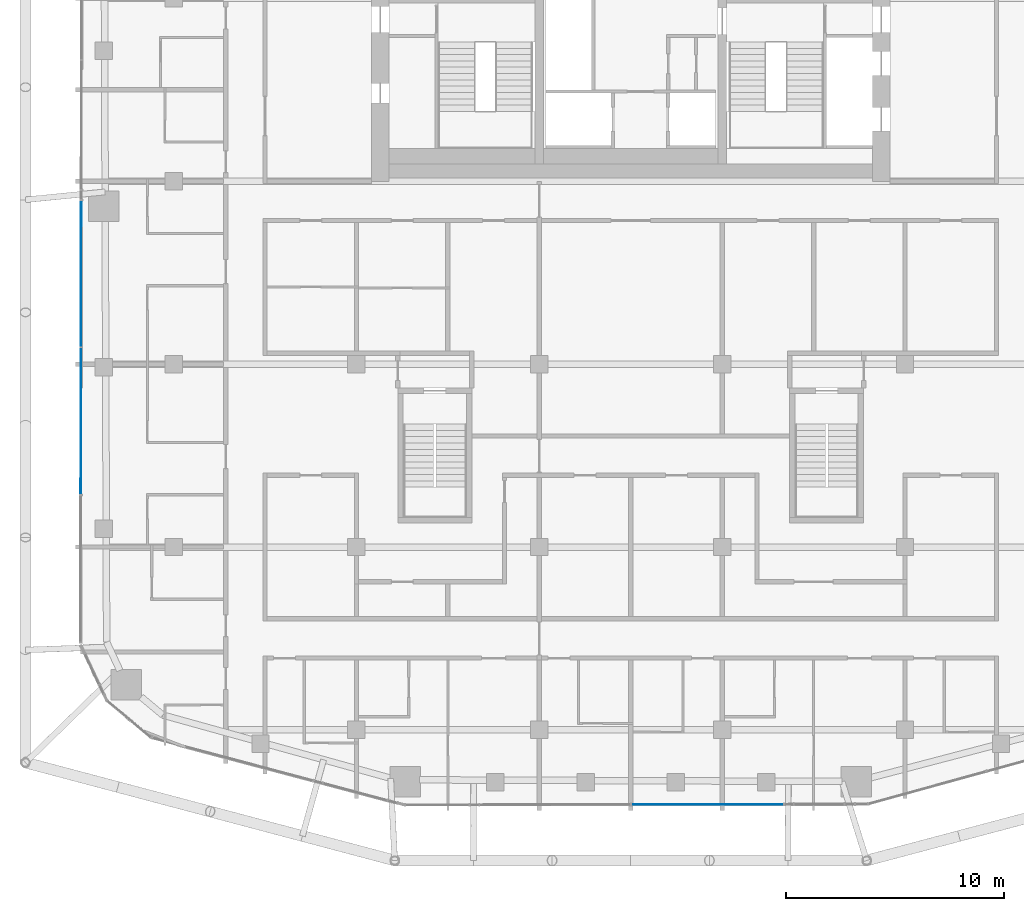
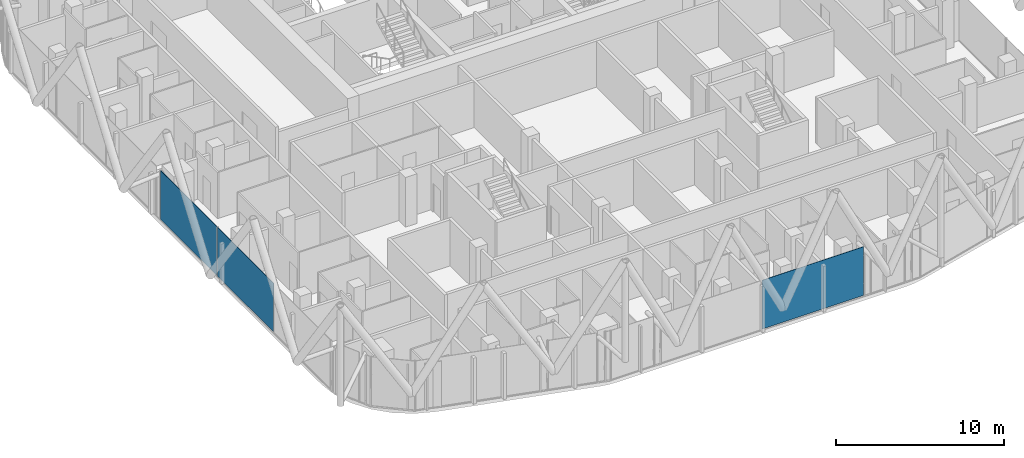
# One storey, part 15 of 31: 3 plates, 2 elements without a shape of their own.
"""IFC4 building model written with IfcOpenShell, lengths in metres."""

from ifc_helpers import new_model, si_unit, direction, frame, origin, origin_2d, place, context, subcontext, project, spatial, rectangle, extrude, material, layer, layer_set, type_object, element, aggregate, save


model = new_model("IFC4")

# Units and contexts
model_context = context("Model", 3, precision=1e-05, world=origin(), true_north=direction((0.0, 1.0)))
body_context = subcontext(model_context, "Body", "Model", "MODEL_VIEW")
ifc_project = project(units=[si_unit("LENGTHUNIT", "METRE"), si_unit("AREAUNIT", "SQUARE_METRE"), si_unit("VOLUMEUNIT", "CUBIC_METRE"), si_unit("PLANEANGLEUNIT", "RADIAN"), si_unit("MASSUNIT", "GRAM", prefix="KILO")], contexts=[model_context])

# Site, building, storey
site_placement = place(None, origin())
site = spatial("IfcSite", under=ifc_project, at=site_placement, CompositionType="ELEMENT")
building_placement = place(site_placement, origin())
building = spatial("IfcBuilding", under=site, at=building_placement, Name="Marenta Gate Hotel Tower", CompositionType="ELEMENT")
storey_placement = place(building_placement, frame((0.0, 0.0, 234.5)))
storey = spatial("IfcBuildingStorey", under=building, at=storey_placement, Name="L55", CompositionType="ELEMENT", Elevation=234.5)

# Curtain wall, plates
ifc_material_1 = material(Name="Tinted insulated glass in bronze anodised frame", Category="glass")
ifc_layer_1 = layer(ifc_material_1, 0.1201171875)
ifc_layer_set_1 = layer_set([ifc_layer_1], Name="Tinted insulated glass in bronze anodised frame")
curtain_wall_type = type_object("IfcCurtainWallType", Name="Tower unitised curtain wall CW1", PredefinedType="NOTDEFINED", material=ifc_layer_set_1)
curtain_wall_1_placement = place(storey_placement, origin())
curtain_wall_1 = element("IfcCurtainWall", 1, at=curtain_wall_1_placement, inside=storey, type_object=curtain_wall_type, Name="CW1 run G08", PredefinedType="NOTDEFINED")
ifc_material_2 = material(Name="Tinted insulated glass", Category="glass")
ifc_layer_2 = layer(ifc_material_2, 0.028076171875)
ifc_layer_set_2 = layer_set([ifc_layer_2], Name="Tinted insulated glass")
plate_type = type_object("IfcPlateType", Name="Glass panel CW1 28 mm tinted insulated unit", PredefinedType="CURTAIN_PANEL", material=ifc_layer_set_2)
plate_1_placement = place(storey_placement, frame((-25.246337890625, -4.238525390625, 0.06005859375), z_axis=(0.0, 0.0, 1.0), x_axis=(-0.001564651623, -0.999998775932, 0.0)))
plate_1 = element("IfcPlate", 2, at=plate_1_placement, type_object=plate_type, Name="CW1 panel 1.1", PredefinedType="CURTAIN_PANEL", context=body_context, shape_type="SweptSolid", body=[
    extrude(rectangle(XDim=6.7060546875, YDim=0.028076171875, at=origin_2d()), origin(), (0.0, 0.0, 1.0), 3.5400390625),
])
plate_2_placement = place(storey_placement, frame((-25.2568359375, -11.01953125, 0.06005859375), z_axis=(0.0, 0.0, 1.0), x_axis=(-0.001564651623, -0.999998775932, 0.0)))
plate_2 = element("IfcPlate", 3, at=plate_2_placement, type_object=plate_type, Name="CW1 panel 2.1", PredefinedType="CURTAIN_PANEL", context=body_context, shape_type="SweptSolid", body=[
    extrude(rectangle(XDim=6.736083984375, YDim=0.028076171875, at=origin_2d()), origin(), (0.0, 0.0, 1.0), 3.5400390625),
])
aggregate(curtain_wall_1, [plate_1, plate_2])

# Curtain wall, plate
curtain_wall_2_placement = place(storey_placement, origin())
curtain_wall_2 = element("IfcCurtainWall", 4, at=curtain_wall_2_placement, inside=storey, type_object=curtain_wall_type, Name="CW1 run G21", PredefinedType="NOTDEFINED")
plate_3_placement = place(storey_placement, frame((3.524658203125, -28.62451171875, 0.06005859375), z_axis=(0.0, 0.0, 1.0), x_axis=(0.99999866205, 0.001635817263, 0.0)))
plate_3 = element("IfcPlate", 5, at=plate_3_placement, type_object=plate_type, Name="CW1 panel 2.1", PredefinedType="CURTAIN_PANEL", context=body_context, shape_type="SweptSolid", body=[
    extrude(rectangle(XDim=6.969482421875, YDim=0.028076171875, at=origin_2d()), origin(), (0.0, 0.0, 1.0), 3.5400390625),
])
aggregate(curtain_wall_2, [plate_3])

save(model, "model.ifc")
